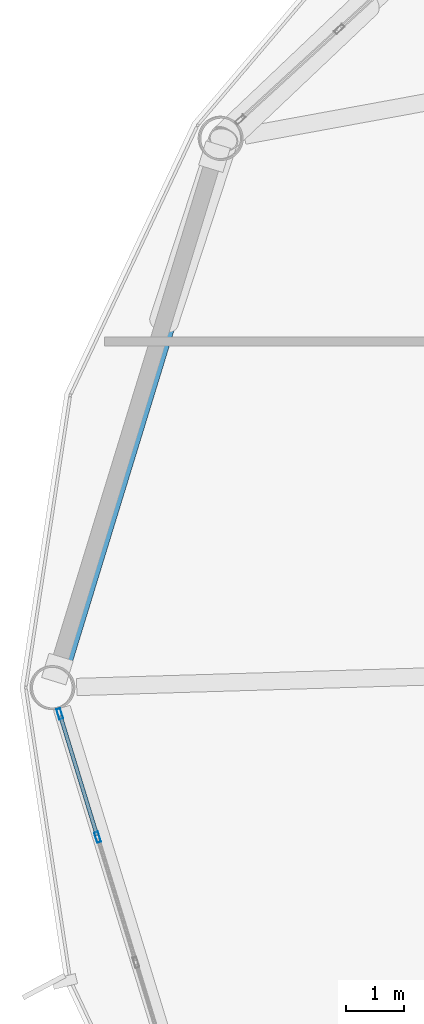
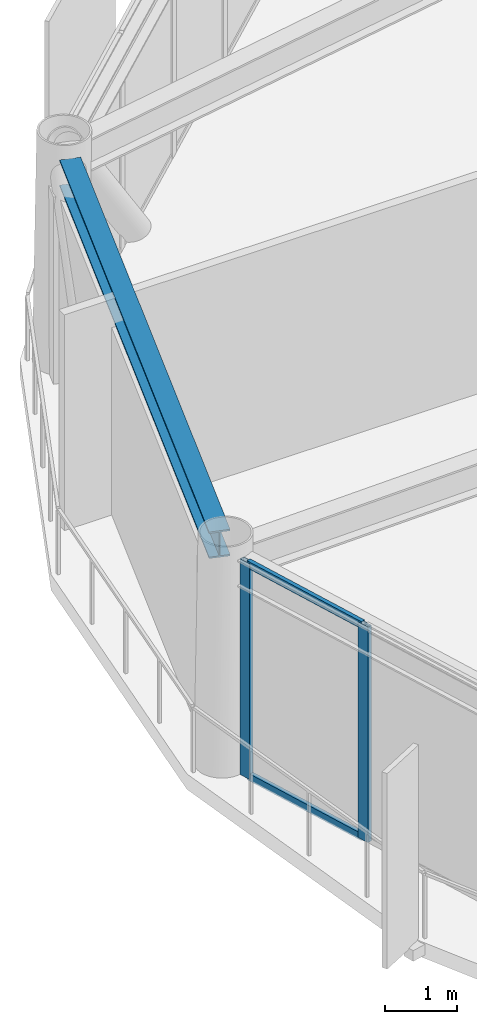
# One storey, part 9 of 27: 4 members, 1 beam, 1 element without a shape of its own.
"""IFC4 building model written with IfcOpenShell, lengths in metres."""

import ifcopenshell
import ifcopenshell.guid

model = None  # the IFC model being written
_history = None  # IfcOwnerHistory: only IFC2X3 demands one
_inside = {}  # id of a spatial element -> (the spatial element, [elements in it])
_under = {}  # id of a project, library or spatial element -> (it, [spatial elements below it])
_declared = {}  # id of a project -> (the project, [libraries it declares])
_typed = {}  # id of a type object -> (the type object, [elements of that type])
_made_of = {}  # id of a material, layer set ... -> (it, [elements and type objects made of it])


def new_model(schema):
    """Start an empty IFC model of exactly this schema.

    Asked for "IFC4X3", IfcOpenShell would pick the latest addendum, in which some entities
    have other attributes; the version numbers below select the first issue.
    IFC2X3 requires an IfcOwnerHistory on every rooted entity: one is made here for all.
    """
    global model, _history
    if schema == "IFC4X3":
        model = ifcopenshell.file(schema_version=(4, 3, 0, 0))
    else:
        model = ifcopenshell.file(schema=schema)
    _inside.clear()
    _under.clear()
    _declared.clear()
    _typed.clear()
    _made_of.clear()
    _history = None
    if model.schema == "IFC2X3":
        org = make("IfcOrganization", Name="unknown")
        user = make(
            "IfcPersonAndOrganization",
            ThePerson=make("IfcPerson", FamilyName="unknown"),
            TheOrganization=org,
        )
        app = make(
            "IfcApplication",
            ApplicationDeveloper=org,
            Version="unknown",
            ApplicationFullName="unknown",
            ApplicationIdentifier="unknown",
        )
        _history = make(
            "IfcOwnerHistory",
            OwningUser=user,
            OwningApplication=app,
            ChangeAction="ADDED",
            CreationDate=0,
        )
    return model


def make(cls, **values):
    """One entity of the class cls with the attributes given. An attribute that is None is left unset."""
    return model.create_entity(
        cls, **{name: value for name, value in values.items() if value is not None}
    )


def rooted(cls, **values):
    """An entity with a GlobalId (a new one), such as an element, a storey or a relation."""
    return make(cls, GlobalId=ifcopenshell.guid.new(), OwnerHistory=_history, **values)


def si_unit(unit_type, name, prefix=None):
    """IfcSIUnit, for example si_unit("LENGTHUNIT", "METRE", prefix="MILLI")."""
    return make("IfcSIUnit", UnitType=unit_type, Prefix=prefix, Name=name)


def assignment(units):
    """IfcUnitAssignment: the units of a project."""
    return None if units is None else make("IfcUnitAssignment", Units=units)


def point(xyz):
    """IfcCartesianPoint."""
    return None if xyz is None else make("IfcCartesianPoint", Coordinates=xyz)


def direction(xyz):
    """IfcDirection."""
    return None if xyz is None else make("IfcDirection", DirectionRatios=xyz)


def frame(location, z_axis=None, x_axis=None):
    """IfcAxis2Placement3D, a coordinate frame: its origin and axes. An axis left out is left unset."""
    return make(
        "IfcAxis2Placement3D",
        Location=point(location),
        Axis=direction(z_axis),
        RefDirection=direction(x_axis),
    )


def frame_2d(location, x_axis=None):
    """IfcAxis2Placement2D, a coordinate frame in the plane: its origin and x axis."""
    return make(
        "IfcAxis2Placement2D", Location=point(location), RefDirection=direction(x_axis)
    )


def origin():
    """The frame at (0, 0, 0) with its axes left unset."""
    return frame((0.0, 0.0, 0.0))


def origin_2d():
    """The frame at (0, 0) in the plane with its x axis left unset."""
    return frame_2d((0.0, 0.0))


def place(relative_to, where):
    """IfcLocalPlacement: puts the frame where relative to a parent placement (None: the world)."""
    return make(
        "IfcLocalPlacement", PlacementRelTo=relative_to, RelativePlacement=where
    )


def context(
    kind, dimensions, precision=None, world=None, true_north=None, identifier=None
):
    """IfcGeometricRepresentationContext, for example the 3D "Model" context."""
    return make(
        "IfcGeometricRepresentationContext",
        ContextIdentifier=identifier,
        ContextType=kind,
        CoordinateSpaceDimension=dimensions,
        Precision=precision,
        WorldCoordinateSystem=world,
        TrueNorth=true_north,
    )


def subcontext(parent, identifier, kind, view, scale=None):
    """IfcGeometricRepresentationSubContext, for example "Body" below "Model"."""
    return make(
        "IfcGeometricRepresentationSubContext",
        ContextIdentifier=identifier,
        ContextType=kind,
        ParentContext=parent,
        TargetScale=scale,
        TargetView=view,
    )


def project(units=None, contexts=None):
    """IfcProject with its units and contexts."""
    return rooted(
        "IfcProject",
        Name="project",
        RepresentationContexts=contexts,
        UnitsInContext=assignment(units),
    )


def spatial(cls, under=None, at=None, **own):
    """A site, building, storey or space (cls), placed at a placement, below another one or the project."""
    s = rooted(cls, ObjectPlacement=at, **own)
    if under is not None:
        _under.setdefault(under.id(), (under, []))[1].append(s)
    return s


def profile(cls, at=None, kind="AREA", **sizes):
    """A parametric profile (cls). Its sizes go by their IFC names, for example OverallWidth=200.0."""
    return make(cls, ProfileType=kind, Position=at, **sizes)


def hollow_rectangle(**sizes):
    """IfcRectangleHollowProfileDef."""
    return profile("IfcRectangleHollowProfileDef", **sizes)


def i_section(**sizes):
    """IfcIShapeProfileDef."""
    return profile("IfcIShapeProfileDef", **sizes)


def extrude(swept, where, along, depth):
    """IfcExtrudedAreaSolid: the profile swept, set in the frame where, extruded along a direction by depth."""
    return make(
        "IfcExtrudedAreaSolid",
        SweptArea=swept,
        Position=where,
        ExtrudedDirection=direction(along),
        Depth=depth,
    )


def shape(context_of_items, identifier, shape_type, items):
    """IfcShapeRepresentation: the items that make up one representation, for example the "Body"."""
    return make(
        "IfcShapeRepresentation",
        ContextOfItems=context_of_items,
        RepresentationIdentifier=identifier,
        RepresentationType=shape_type,
        Items=items,
    )


def material(Name=None, Category=None):
    """IfcMaterial."""
    return make("IfcMaterial", Name=Name, Category=Category)


def layer(
    of_material, thickness, ventilated=None, Name=None, Category=None, Priority=None
):
    """IfcMaterialLayer: one layer of a wall or slab, of a material (None: an air gap)."""
    return make(
        "IfcMaterialLayer",
        Material=of_material,
        LayerThickness=thickness,
        IsVentilated=ventilated,
        Name=Name,
        Category=Category,
        Priority=Priority,
    )


def layer_set(layers, Name=None):
    """IfcMaterialLayerSet."""
    return make("IfcMaterialLayerSet", MaterialLayers=layers, LayerSetName=Name)


def material_profile(
    of_material, cross_section, Name=None, Category=None, Priority=None
):
    """IfcMaterialProfile: a cross section and its material."""
    return make(
        "IfcMaterialProfile",
        Name=Name,
        Material=of_material,
        Profile=cross_section,
        Priority=Priority,
        Category=Category,
    )


def profile_set(profiles, Name=None, composite=None):
    """IfcMaterialProfileSet."""
    return make(
        "IfcMaterialProfileSet",
        Name=Name,
        MaterialProfiles=profiles,
        CompositeProfile=composite,
    )


def made_of(thing, what):
    """Note that an element or type object is made of a material, layer set ...; save() writes the relation."""
    if what is not None:
        _made_of.setdefault(what.id(), (what, []))[1].append(thing)
    return thing


def type_object(cls, material=None, **own):
    """A type object (cls), such as IfcWallType, which elements share."""
    return made_of(rooted(cls, **own), material)


def element(
    cls,
    number,
    at=None,
    inside=None,
    cuts=None,
    type_object=None,
    material=None,
    context=None,
    identifier="Body",
    shape_type=None,
    held_by="IfcProductDefinitionShape",
    body=None,
    shapes=None,
    **own,
):
    """One element of the class cls, such as IfcWall. Its Tag is "e" and its number.

    at: its placement. inside: the storey or other place that contains it. cuts: it is an
    opening in that element (IfcRelVoidsElement). A single representation is given by context,
    identifier, shape_type and body (its items); several are given by shapes. held_by: the class
    of the entity that holds the representations. save() writes the other relations.
    """
    e = rooted(cls, Tag="e%d" % number, ObjectPlacement=at, **own)
    if body is not None:
        shapes = [shape(context, identifier, shape_type, body)]
    if shapes is not None:
        e.Representation = make(held_by, Representations=shapes)
    if inside is not None:
        _inside.setdefault(inside.id(), (inside, []))[1].append(e)
    if cuts is not None:
        rooted(
            "IfcRelVoidsElement", RelatingBuildingElement=cuts, RelatedOpeningElement=e
        )
    if type_object is not None:
        _typed.setdefault(type_object.id(), (type_object, []))[1].append(e)
    return made_of(e, material)


def aggregate(whole, parts):
    """IfcRelAggregates: a whole, such as a stair, and the parts it consists of."""
    return rooted("IfcRelAggregates", RelatingObject=whole, RelatedObjects=parts)


def save(model, path):
    """Write the relations noted so far, then the file.

    IfcRelAggregates (storeys below a building ...), IfcRelContainedInSpatialStructure (elements
    in a storey), IfcRelDefinesByType, IfcRelAssociatesMaterial and IfcRelDeclares: one each for
    every whole, place, type object, material and project.
    """
    for whole, parts in _under.values():
        aggregate(whole, parts)
    for where, things in _inside.values():
        rooted(
            "IfcRelContainedInSpatialStructure",
            RelatedElements=things,
            RelatingStructure=where,
        )
    for kind, things in _typed.values():
        rooted("IfcRelDefinesByType", RelatedObjects=things, RelatingType=kind)
    for what, things in _made_of.values():
        rooted("IfcRelAssociatesMaterial", RelatedObjects=things, RelatingMaterial=what)
    for by, libraries in _declared.values():
        rooted("IfcRelDeclares", RelatingContext=by, RelatedDefinitions=libraries)
    model.write(path)


model = new_model("IFC4")

# Units and contexts
model_context = context("Model", 3, precision=1e-05, world=origin(), true_north=direction((0.0, 1.0)))
body_context = subcontext(model_context, "Body", "Model", "MODEL_VIEW")
ifc_project = project(units=[si_unit("LENGTHUNIT", "METRE"), si_unit("AREAUNIT", "SQUARE_METRE"), si_unit("VOLUMEUNIT", "CUBIC_METRE"), si_unit("PLANEANGLEUNIT", "RADIAN"), si_unit("MASSUNIT", "GRAM", prefix="KILO")], contexts=[model_context])

# Site, building, storey
site_placement = place(None, origin())
site = spatial("IfcSite", under=ifc_project, at=site_placement, CompositionType="ELEMENT")
building_placement = place(site_placement, origin())
building = spatial("IfcBuilding", under=site, at=building_placement, Name="Varnakorn Sky Granary", CompositionType="ELEMENT")
storey_placement = place(building_placement, frame((0.0, 0.0, 142.199951171875)))
storey = spatial("IfcBuildingStorey", under=building, at=storey_placement, Name="L35", CompositionType="ELEMENT", Elevation=142.199951171875)

# Beam
ifc_material_1 = material(Name="Steel S355JR", Category="steel")
ifc_material_profile_1 = material_profile(ifc_material_1, i_section(OverallWidth=0.300048828125, OverallDepth=0.449951171875, WebThickness=0.013916015625, FlangeThickness=0.02587890625, at=origin_2d()), Name="HE 450 B")
ifc_profile_set_1 = profile_set([ifc_material_profile_1], Name="Steel S355JR")
beam_type = type_object("IfcBeamType", Name="BM-SPD-Z3", PredefinedType="SPANDREL", material=ifc_profile_set_1)
beam_placement = place(storey_placement, frame((-19.546875, 9.150634765625, 3.4150390625), z_axis=(-0.292905803463, -0.956141302475, 0.0), x_axis=(0.956141302475, -0.292905803463, 0.0)))
element("IfcBeam", 1, at=beam_placement, inside=storey, type_object=beam_type, Name="Perimeter Spandrel Ring Beam RB06 L35", PredefinedType="SPANDREL", context=body_context, shape_type="SweptSolid", body=[
    extrude(i_section(OverallWidth=0.300048828125, OverallDepth=0.449951171875, WebThickness=0.013916015625, FlangeThickness=0.02587890625, at=origin_2d()), origin(), (0.0, 0.0, 1.0), 9.20458984375),
])

# Curtain wall, members
ifc_material_2 = material(Name="Anodised Bronze Aluminium Alloy 6063-T6", Category="aluminium")
ifc_layer = layer(ifc_material_2, 0.179931640625, Name="Anodised Bronze Aluminium Alloy 6063-T6")
ifc_layer_set = layer_set([ifc_layer], Name="Anodised Bronze Aluminium Alloy 6063-T6")
curtain_wall_type = type_object("IfcCurtainWallType", Name="CW-FRM-2", PredefinedType="USERDEFINED", material=ifc_layer_set)
curtain_wall_placement = place(storey_placement, origin())
curtain_wall = element("IfcCurtainWall", 2, at=curtain_wall_placement, inside=storey, type_object=curtain_wall_type, Name="Unitised Curtain Wall CW4 CW-L35-B07", ObjectType="CURTAIN WALL", PredefinedType="USERDEFINED")
ifc_material_profile_2 = material_profile(ifc_material_2, hollow_rectangle(XDim=0.070068359375, YDim=0.18505859375, WallThickness=0.00390625, at=origin_2d()), Name="ALU MULL 70x185")
ifc_profile_set_2 = profile_set([ifc_material_profile_2], Name="Anodised Bronze Aluminium Alloy 6063-T6")
member_type_1 = type_object("IfcMemberType", Name="CW-FRM-2-MULL", PredefinedType="MULLION", material=ifc_profile_set_2)
member_1_placement = place(storey_placement, frame((-21.62255859375, -2.591796875, 0.0), z_axis=(0.0, 0.0, 1.0), x_axis=(-0.956091617843, -0.293067941424, 0.0)))
member_1 = element("IfcMember", 3, at=member_1_placement, type_object=member_type_1, Name="CW4 mullion 4", PredefinedType="MULLION", context=body_context, shape_type="SweptSolid", body=[
    extrude(hollow_rectangle(XDim=0.070068359375, YDim=0.18505859375, WallThickness=0.00390625, at=origin_2d()), origin(), (0.0, 0.0, 1.0), 3.64013671875),
])
member_2_placement = place(storey_placement, frame((-22.277587890625, -0.455078125, 0.0), z_axis=(0.0, 0.0, 1.0), x_axis=(-0.956091617843, -0.293067941424, 0.0)))
member_2 = element("IfcMember", 4, at=member_2_placement, type_object=member_type_1, Name="CW4 mullion 5", PredefinedType="MULLION", context=body_context, shape_type="SweptSolid", body=[
    extrude(hollow_rectangle(XDim=0.070068359375, YDim=0.18505859375, WallThickness=0.00390625, at=origin_2d()), origin(), (0.0, 0.0, 1.0), 3.64013671875),
])
ifc_material_profile_3 = material_profile(ifc_material_2, hollow_rectangle(XDim=0.06494140625, YDim=0.1201171875, WallThickness=0.00341796875, at=origin_2d()), Name="ALU TRAN 65x120")
ifc_profile_set_3 = profile_set([ifc_material_profile_3], Name="Anodised Bronze Aluminium Alloy 6063-T6")
member_type_2 = type_object("IfcMemberType", Name="CW-FRM-2-TRAN", PredefinedType="USERDEFINED", material=ifc_profile_set_3)
member_3_placement = place(storey_placement, frame((-21.6328125, -2.558349609375, 0.032470703125), z_axis=(-0.29309512368, 0.956083285324, 0.0), x_axis=(-0.956083285324, -0.29309512368, 0.0)))
member_3 = element("IfcMember", 5, at=member_3_placement, type_object=member_type_2, Name="CW4 transom 4.1", ObjectType="TRANSOM", PredefinedType="USERDEFINED", context=body_context, shape_type="SweptSolid", body=[
    extrude(hollow_rectangle(XDim=0.06494140625, YDim=0.1201171875, WallThickness=0.00341796875, at=origin_2d()), origin(), (0.0, 0.0, 1.0), 2.164794921875),
])
member_4_placement = place(storey_placement, frame((-21.6328125, -2.558349609375, 3.607666015625), z_axis=(-0.29309512368, 0.956083285324, 0.0), x_axis=(-0.956083285324, -0.29309512368, 0.0)))
member_4 = element("IfcMember", 6, at=member_4_placement, type_object=member_type_2, Name="CW4 transom 4.2", ObjectType="TRANSOM", PredefinedType="USERDEFINED", context=body_context, shape_type="SweptSolid", body=[
    extrude(hollow_rectangle(XDim=0.06494140625, YDim=0.1201171875, WallThickness=0.00341796875, at=origin_2d()), origin(), (0.0, 0.0, 1.0), 2.164794921875),
])
aggregate(curtain_wall, [member_1, member_2, member_3, member_4])

save(model, "model.ifc")
